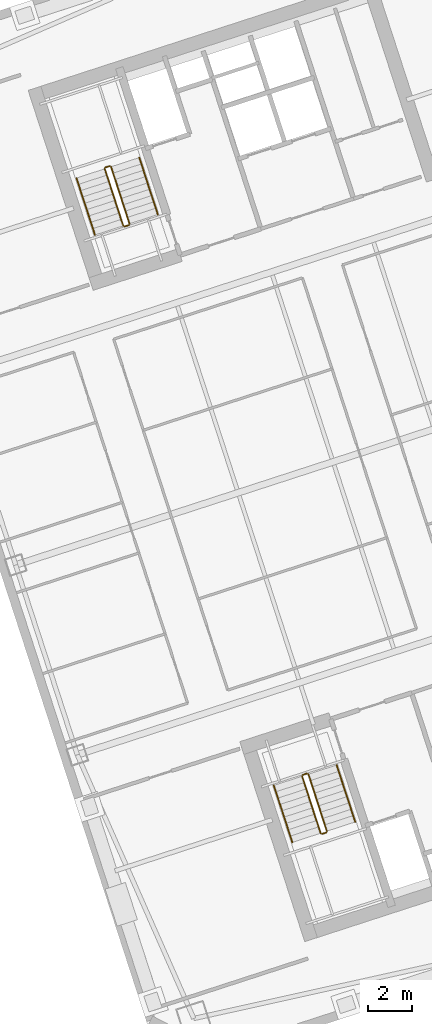
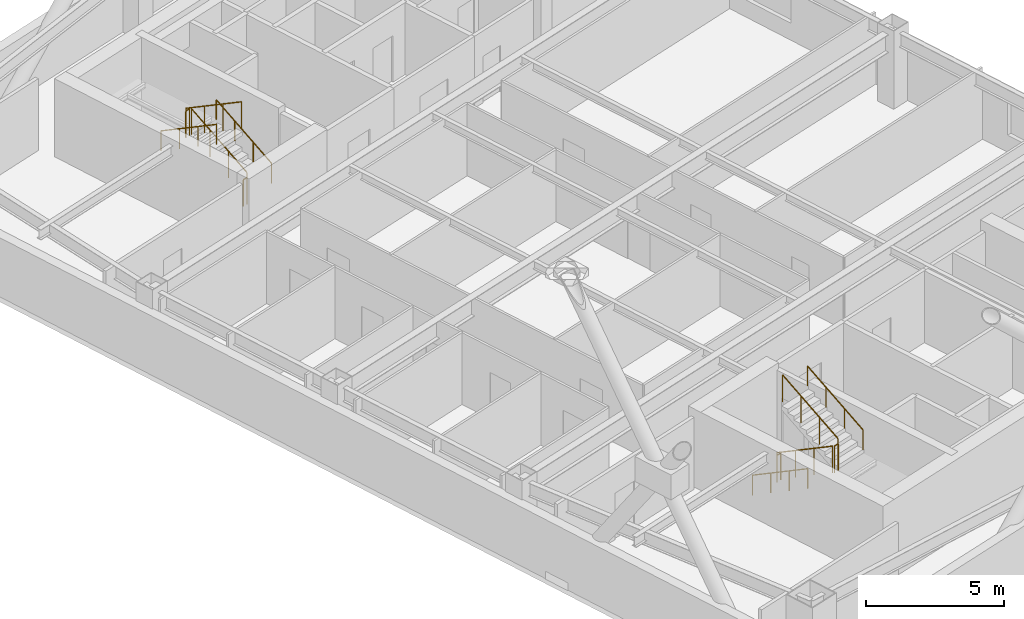
# One storey, part 14 of 14: 12 railings.
"""IFC4 building model written with IfcOpenShell, lengths in metres."""

from ifc_helpers import new_model, si_unit, direction, frame, origin, origin_2d, place, context, subcontext, project, spatial, circle, extrude, material, type_object, element, save


model = new_model("IFC4")

# Units and contexts
model_context = context("Model", 3, precision=1e-05, world=origin(), true_north=direction((0.0, 1.0)))
body_context = subcontext(model_context, "Body", "Model", "MODEL_VIEW")
ifc_project = project(units=[si_unit("LENGTHUNIT", "METRE"), si_unit("AREAUNIT", "SQUARE_METRE"), si_unit("VOLUMEUNIT", "CUBIC_METRE"), si_unit("PLANEANGLEUNIT", "RADIAN"), si_unit("MASSUNIT", "GRAM", prefix="KILO")], contexts=[model_context])

# Site, building, storey
site_placement = place(None, origin())
site = spatial("IfcSite", under=ifc_project, at=site_placement, CompositionType="ELEMENT")
building_placement = place(site_placement, origin())
building = spatial("IfcBuilding", under=site, at=building_placement, Name="Qiaolan Cultural Towers", CompositionType="ELEMENT")
storey_placement = place(building_placement, frame((0.0, 0.0, 149.5)))
storey = spatial("IfcBuildingStorey", under=building, at=storey_placement, Name="L39", CompositionType="ELEMENT", Elevation=149.5)

# Railings
ifc_material_1 = material(Name="Galvanized Painted Steel Stair Guardrail", Category="steel")
railing_type_1 = type_object("IfcRailingType", Name="RL-STAIR-GRD", PredefinedType="GUARDRAIL", material=ifc_material_1)
railing_1_placement = place(storey_placement, frame((88.60205078125, 19.82421875, 0.172607421875)))
element("IfcRailing", 1, at=railing_1_placement, inside=storey, type_object=railing_type_1, Name="L39 ST-E1 stair guard 1", PredefinedType="GUARDRAIL", context=body_context, shape_type="SweptSolid", body=[
    extrude(circle(Radius=0.02392578125, at=origin_2d()), frame((0.0, 0.0, 1.17578125), z_axis=(0.267925668498, -0.824471088726, 0.498460891159), x_axis=(0.951043371037, 0.309057448393, 0.0)), (0.0, 0.0, 1.0), 3.114501953125),
    extrude(circle(Radius=0.02099609375, at=origin_2d()), origin(), (0.0, 0.0, 1.0), 1.15185546875),
    extrude(circle(Radius=0.02099609375, at=origin_2d()), frame((0.278076171875, -0.85595703125, 0.517578125)), (0.0, 0.0, 1.0), 1.15185546875),
    extrude(circle(Radius=0.02099609375, at=origin_2d()), frame((0.556396484375, -1.7119140625, 1.034912109375)), (0.0, 0.0, 1.0), 1.15185546875),
    extrude(circle(Radius=0.02099609375, at=origin_2d()), frame((0.83447265625, -2.56787109375, 1.552490234375)), (0.0, 0.0, 1.0), 1.15185546875),
])
railing_2_placement = place(storey_placement, frame((89.49951171875, 17.224365234375, 1.72509765625)))
element("IfcRailing", 2, at=railing_2_placement, inside=storey, type_object=railing_type_1, Name="L39 ST-E1 stair guard 2", PredefinedType="GUARDRAIL", context=body_context, shape_type="SweptSolid", body=[
    extrude(circle(Radius=0.02392578125, at=origin_2d()), frame((0.0, 0.0, 1.17578125), z_axis=(0.951096855055, 0.308892816854, 0.0), x_axis=(-0.308892816854, 0.951096855055, 0.0)), (0.0, 0.0, 1.0), 0.199951171875),
    extrude(circle(Radius=0.02099609375, at=origin_2d()), origin(), (0.0, 0.0, 1.0), 1.15185546875),
    extrude(circle(Radius=0.02099609375, at=origin_2d()), frame((0.190185546875, 0.061767578125, 0.0)), (0.0, 0.0, 1.0), 1.15185546875),
])
railing_3_placement = place(storey_placement, frame((89.721923828125, 17.34912109375, 1.8974609375)))
element("IfcRailing", 3, at=railing_3_placement, inside=storey, type_object=railing_type_1, Name="L39 ST-E1 stair guard 3", PredefinedType="GUARDRAIL", context=body_context, shape_type="SweptSolid", body=[
    extrude(circle(Radius=0.02392578125, at=origin_2d()), frame((0.0, 0.0, 1.17578125), z_axis=(-0.267925668498, 0.824471088726, 0.498460891159), x_axis=(-0.951043371037, -0.309057448393, 0.0)), (0.0, 0.0, 1.0), 3.114501953125),
    extrude(circle(Radius=0.02099609375, at=origin_2d()), origin(), (0.0, 0.0, 1.0), 1.15185546875),
    extrude(circle(Radius=0.02099609375, at=origin_2d()), frame((-0.278076171875, 0.85595703125, 0.517578125)), (0.0, 0.0, 1.0), 1.15185546875),
    extrude(circle(Radius=0.02099609375, at=origin_2d()), frame((-0.556396484375, 1.7119140625, 1.034912109375)), (0.0, 0.0, 1.0), 1.15185546875),
    extrude(circle(Radius=0.02099609375, at=origin_2d()), frame((-0.83447265625, 2.56787109375, 1.552490234375)), (0.0, 0.0, 1.0), 1.15185546875),
])
railing_4_placement = place(storey_placement, frame((88.63427734375, 19.88720703125, 0.0)))
element("IfcRailing", 4, at=railing_4_placement, inside=storey, type_object=railing_type_1, Name="L39 ST-E1 stair guard 4", PredefinedType="GUARDRAIL", context=body_context, shape_type="SweptSolid", body=[
    extrude(circle(Radius=0.02392578125, at=origin_2d()), frame((0.0, 0.0, 1.17578125), z_axis=(0.951096855055, 0.308892816854, 0.0), x_axis=(-0.308892816854, 0.951096855055, 0.0)), (0.0, 0.0, 1.0), 0.199951171875),
    extrude(circle(Radius=0.02099609375, at=origin_2d()), origin(), (0.0, 0.0, 1.0), 1.15185546875),
    extrude(circle(Radius=0.02099609375, at=origin_2d()), frame((0.190185546875, 0.061767578125, 0.0)), (0.0, 0.0, 1.0), 1.15185546875),
])
railing_5_placement = place(storey_placement, frame((80.822021484375, 44.739501953125, 0.172607421875)))
element("IfcRailing", 5, at=railing_5_placement, inside=storey, type_object=railing_type_1, Name="L39 ST-E2 stair guard 1", PredefinedType="GUARDRAIL", context=body_context, shape_type="SweptSolid", body=[
    extrude(circle(Radius=0.02392578125, at=origin_2d()), frame((0.0, 0.0, 1.17578125), z_axis=(-0.26785290645, 0.824488402118, 0.498471358535), x_axis=(-0.951069945308, -0.308975661068, 0.0)), (0.0, 0.0, 1.0), 3.114501953125),
    extrude(circle(Radius=0.02099609375, at=origin_2d()), origin(), (0.0, 0.0, 1.0), 1.15185546875),
    extrude(circle(Radius=0.02099609375, at=origin_2d()), frame((-0.278076171875, 0.85595703125, 0.517578125)), (0.0, 0.0, 1.0), 1.15185546875),
    extrude(circle(Radius=0.02099609375, at=origin_2d()), frame((-0.55615234375, 1.7119140625, 1.034912109375)), (0.0, 0.0, 1.0), 1.15185546875),
    extrude(circle(Radius=0.02099609375, at=origin_2d()), frame((-0.834228515625, 2.56787109375, 1.552490234375)), (0.0, 0.0, 1.0), 1.15185546875),
])
railing_6_placement = place(storey_placement, frame((79.9248046875, 47.33935546875, 1.72509765625)))
element("IfcRailing", 6, at=railing_6_placement, inside=storey, type_object=railing_type_1, Name="L39 ST-E2 stair guard 2", PredefinedType="GUARDRAIL", context=body_context, shape_type="SweptSolid", body=[
    extrude(circle(Radius=0.02392578125, at=origin_2d()), frame((0.0, 0.0, 1.17578125), z_axis=(-0.951096855055, -0.308892816854, 0.0), x_axis=(0.308892816854, -0.951096855055, 0.0)), (0.0, 0.0, 1.0), 0.199951171875),
    extrude(circle(Radius=0.02099609375, at=origin_2d()), origin(), (0.0, 0.0, 1.0), 1.15185546875),
    extrude(circle(Radius=0.02099609375, at=origin_2d()), frame((-0.190185546875, -0.061767578125, 0.0)), (0.0, 0.0, 1.0), 1.15185546875),
])
railing_7_placement = place(storey_placement, frame((79.702392578125, 47.214599609375, 1.8974609375)))
element("IfcRailing", 7, at=railing_7_placement, inside=storey, type_object=railing_type_1, Name="L39 ST-E2 stair guard 3", PredefinedType="GUARDRAIL", context=body_context, shape_type="SweptSolid", body=[
    extrude(circle(Radius=0.02392578125, at=origin_2d()), frame((0.0, 0.0, 1.17578125), z_axis=(0.267925668498, -0.824471088726, 0.498460891159), x_axis=(0.951043371037, 0.309057448393, 0.0)), (0.0, 0.0, 1.0), 3.114501953125),
    extrude(circle(Radius=0.02099609375, at=origin_2d()), origin(), (0.0, 0.0, 1.0), 1.15185546875),
    extrude(circle(Radius=0.02099609375, at=origin_2d()), frame((0.278076171875, -0.85595703125, 0.517578125)), (0.0, 0.0, 1.0), 1.15185546875),
    extrude(circle(Radius=0.02099609375, at=origin_2d()), frame((0.556396484375, -1.7119140625, 1.034912109375)), (0.0, 0.0, 1.0), 1.15185546875),
    extrude(circle(Radius=0.02099609375, at=origin_2d()), frame((0.83447265625, -2.56787109375, 1.552490234375)), (0.0, 0.0, 1.0), 1.15185546875),
])
railing_8_placement = place(storey_placement, frame((80.7900390625, 44.676513671875, 0.0)))
element("IfcRailing", 8, at=railing_8_placement, inside=storey, type_object=railing_type_1, Name="L39 ST-E2 stair guard 4", PredefinedType="GUARDRAIL", context=body_context, shape_type="SweptSolid", body=[
    extrude(circle(Radius=0.02392578125, at=origin_2d()), frame((0.0, 0.0, 1.17578125), z_axis=(-0.951096855055, -0.308892816854, 0.0), x_axis=(0.308892816854, -0.951096855055, 0.0)), (0.0, 0.0, 1.0), 0.199951171875),
    extrude(circle(Radius=0.02099609375, at=origin_2d()), origin(), (0.0, 0.0, 1.0), 1.15185546875),
    extrude(circle(Radius=0.02099609375, at=origin_2d()), frame((-0.190185546875, -0.061767578125, 0.0)), (0.0, 0.0, 1.0), 1.15185546875),
])
ifc_material_2 = material(Name="Stainless Steel S30408 Tubular Handrail", Category="steel")
railing_type_2 = type_object("IfcRailingType", Name="RL-STAIR-HR", PredefinedType="HANDRAIL", material=ifc_material_2)
railing_9_placement = place(storey_placement, frame((87.32763671875, 19.41015625, 0.172607421875)))
element("IfcRailing", 9, at=railing_9_placement, inside=storey, type_object=railing_type_2, Name="L39 ST-E1 stair handrail 1", PredefinedType="HANDRAIL", context=body_context, shape_type="SweptSolid", body=[
    extrude(circle(Radius=0.02392578125, at=origin_2d()), frame((0.0, 0.0, 0.8759765625), z_axis=(0.267925668498, -0.824471088726, 0.498460891159), x_axis=(0.951043371037, 0.309057448393, 0.0)), (0.0, 0.0, 1.0), 3.114501953125),
    extrude(circle(Radius=0.02099609375, at=origin_2d()), origin(), (0.0, 0.0, 1.0), 0.851806640625),
    extrude(circle(Radius=0.02099609375, at=origin_2d()), frame((0.278076171875, -0.85595703125, 0.517578125)), (0.0, 0.0, 1.0), 0.851806640625),
    extrude(circle(Radius=0.02099609375, at=origin_2d()), frame((0.556396484375, -1.7119140625, 1.034912109375)), (0.0, 0.0, 1.0), 0.851806640625),
    extrude(circle(Radius=0.02099609375, at=origin_2d()), frame((0.83447265625, -2.56787109375, 1.552490234375)), (0.0, 0.0, 1.0), 0.851806640625),
])
railing_10_placement = place(storey_placement, frame((90.996337890625, 17.76318359375, 1.8974609375)))
element("IfcRailing", 10, at=railing_10_placement, inside=storey, type_object=railing_type_2, Name="L39 ST-E1 stair handrail 2", PredefinedType="HANDRAIL", context=body_context, shape_type="SweptSolid", body=[
    extrude(circle(Radius=0.02392578125, at=origin_2d()), frame((0.0, 0.0, 0.8759765625), z_axis=(-0.267925668498, 0.824471088726, 0.498460891159), x_axis=(-0.951043371037, -0.309057448393, 0.0)), (0.0, 0.0, 1.0), 3.114501953125),
    extrude(circle(Radius=0.02099609375, at=origin_2d()), origin(), (0.0, 0.0, 1.0), 0.851806640625),
    extrude(circle(Radius=0.02099609375, at=origin_2d()), frame((-0.278076171875, 0.85595703125, 0.517578125)), (0.0, 0.0, 1.0), 0.851806640625),
    extrude(circle(Radius=0.02099609375, at=origin_2d()), frame((-0.556396484375, 1.7119140625, 1.034912109375)), (0.0, 0.0, 1.0), 0.851806640625),
    extrude(circle(Radius=0.02099609375, at=origin_2d()), frame((-0.83447265625, 2.56787109375, 1.552490234375)), (0.0, 0.0, 1.0), 0.851806640625),
])
railing_11_placement = place(storey_placement, frame((82.096435546875, 45.153564453125, 0.172607421875)))
element("IfcRailing", 11, at=railing_11_placement, inside=storey, type_object=railing_type_2, Name="L39 ST-E2 stair handrail 1", PredefinedType="HANDRAIL", context=body_context, shape_type="SweptSolid", body=[
    extrude(circle(Radius=0.02392578125, at=origin_2d()), frame((0.0, 0.0, 0.8759765625), z_axis=(-0.26785290645, 0.824488402118, 0.498471358535), x_axis=(-0.951069945308, -0.308975661068, 0.0)), (0.0, 0.0, 1.0), 3.114501953125),
    extrude(circle(Radius=0.02099609375, at=origin_2d()), origin(), (0.0, 0.0, 1.0), 0.851806640625),
    extrude(circle(Radius=0.02099609375, at=origin_2d()), frame((-0.278076171875, 0.85595703125, 0.517578125)), (0.0, 0.0, 1.0), 0.851806640625),
    extrude(circle(Radius=0.02099609375, at=origin_2d()), frame((-0.55615234375, 1.7119140625, 1.034912109375)), (0.0, 0.0, 1.0), 0.851806640625),
    extrude(circle(Radius=0.02099609375, at=origin_2d()), frame((-0.834228515625, 2.56787109375, 1.552490234375)), (0.0, 0.0, 1.0), 0.851806640625),
])
railing_12_placement = place(storey_placement, frame((78.427978515625, 46.800537109375, 1.8974609375)))
element("IfcRailing", 12, at=railing_12_placement, inside=storey, type_object=railing_type_2, Name="L39 ST-E2 stair handrail 2", PredefinedType="HANDRAIL", context=body_context, shape_type="SweptSolid", body=[
    extrude(circle(Radius=0.02392578125, at=origin_2d()), frame((0.0, 0.0, 0.8759765625), z_axis=(0.267925668498, -0.824471088726, 0.498460891159), x_axis=(0.951043371037, 0.309057448393, 0.0)), (0.0, 0.0, 1.0), 3.114501953125),
    extrude(circle(Radius=0.02099609375, at=origin_2d()), origin(), (0.0, 0.0, 1.0), 0.851806640625),
    extrude(circle(Radius=0.02099609375, at=origin_2d()), frame((0.278076171875, -0.85595703125, 0.517578125)), (0.0, 0.0, 1.0), 0.851806640625),
    extrude(circle(Radius=0.02099609375, at=origin_2d()), frame((0.556396484375, -1.7119140625, 1.034912109375)), (0.0, 0.0, 1.0), 0.851806640625),
    extrude(circle(Radius=0.02099609375, at=origin_2d()), frame((0.83447265625, -2.56787109375, 1.552490234375)), (0.0, 0.0, 1.0), 0.851806640625),
])

save(model, "model.ifc")
